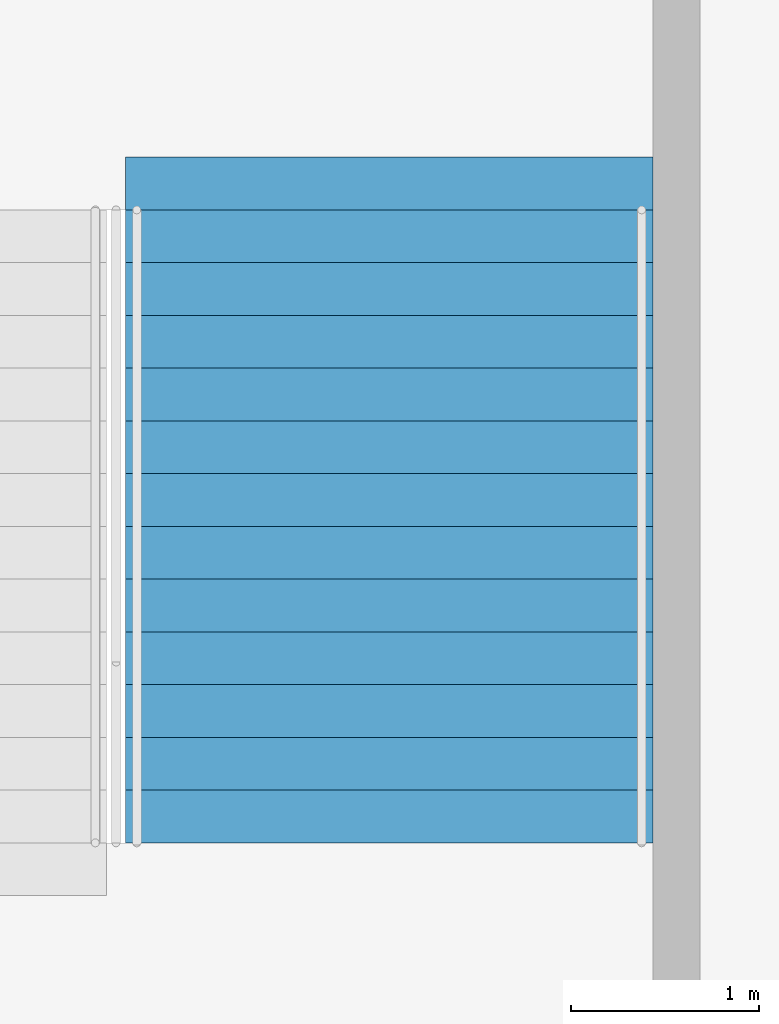
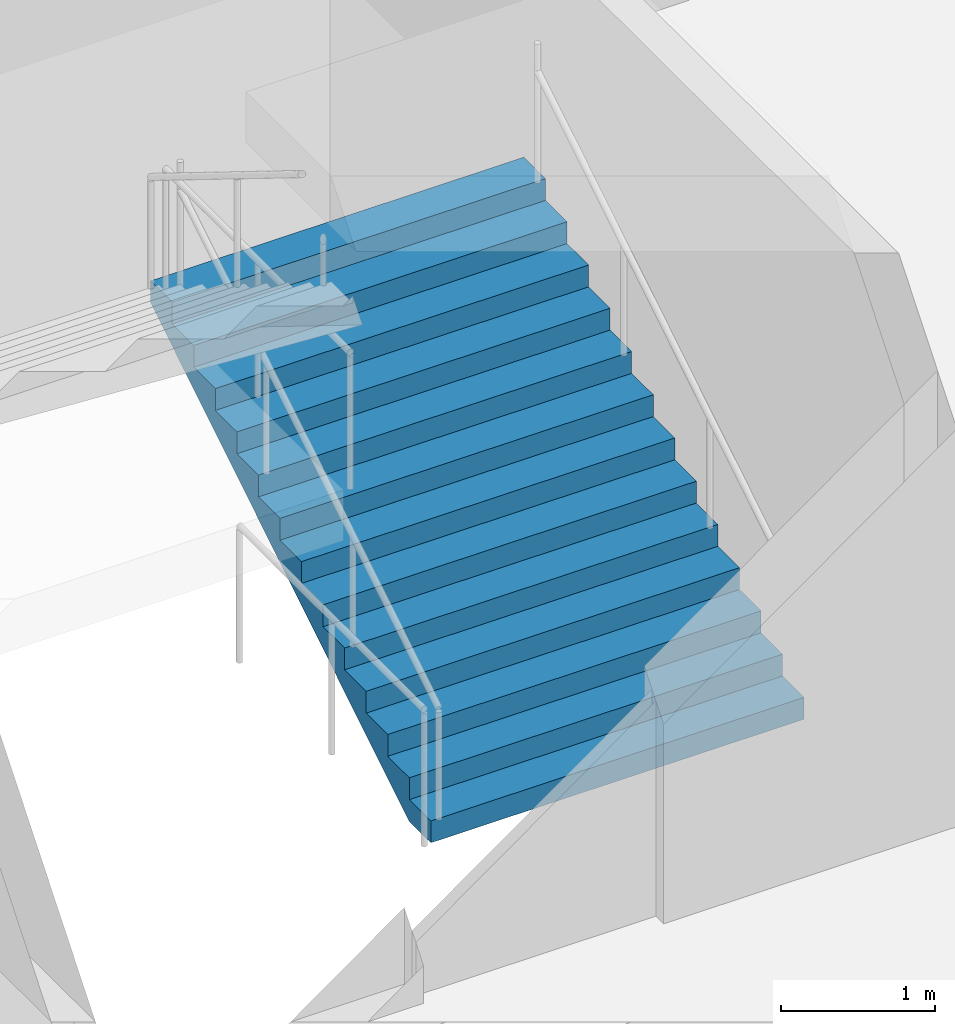
# One storey, part 131 of 175: 1 stair flight, 1 element without a shape of its own.
"""IFC4 building model written with IfcOpenShell, lengths in metres."""

from ifc_helpers import new_model, si_unit, direction, frame, origin, place, context, subcontext, project, spatial, faceted_brep, material, type_object, element, aggregate, save


model = new_model("IFC4")

# Units and contexts
model_context = context("Model", 3, precision=1e-05, world=origin(), true_north=direction((0.0, 1.0)))
body_context = subcontext(model_context, "Body", "Model", "MODEL_VIEW")
ifc_project = project(units=[si_unit("LENGTHUNIT", "METRE"), si_unit("AREAUNIT", "SQUARE_METRE"), si_unit("VOLUMEUNIT", "CUBIC_METRE"), si_unit("PLANEANGLEUNIT", "RADIAN"), si_unit("MASSUNIT", "GRAM", prefix="KILO")], contexts=[model_context])

# Site, building, storey
site_placement = place(None, origin())
site = spatial("IfcSite", under=ifc_project, at=site_placement, CompositionType="ELEMENT")
building_placement = place(site_placement, origin())
building = spatial("IfcBuilding", under=site, at=building_placement, Name="Ogive Plaza Stadium", CompositionType="ELEMENT")
storey_placement = place(building_placement, origin())
storey = spatial("IfcBuildingStorey", under=building, at=storey_placement, Name="L00", CompositionType="ELEMENT", Elevation=0.0)

# Stair, stair flight
ifc_material_1 = material(Name="Concrete C40/50", Category="concrete")
stair_type = type_object("IfcStairType", Name="Exit stair", PredefinedType="STRAIGHT_RUN_STAIR", material=ifc_material_1)
stair_placement = place(storey_placement, origin())
stair = element("IfcStair", 1, at=stair_placement, inside=storey, type_object=stair_type, Name="Exit stair ST32A L00 to L01", PredefinedType="STRAIGHT_RUN_STAIR")
ifc_material_2 = material(Name="Concrete C40/50", Category="concrete")
stair_flight_type = type_object("IfcStairFlightType", Name="Exit stair flight", PredefinedType="STRAIGHT", material=ifc_material_2)
stair_flight_placement = place(storey_placement, frame((-29.574951171875, 94.85009765625, 0.0), z_axis=(0.0, 0.0, 1.0), x_axis=(0.0, 1.0, 0.0)))
stair_flight = element("IfcStairFlight", 2, at=stair_flight_placement, type_object=stair_flight_type, Name="ST32A flight 1", NumberOfRisers=13, NumberOfTreads=12, PredefinedType="STRAIGHT", RiserHeight=0.173076923, TreadLength=0.28, context=body_context, shape_type="Brep", body=[
    faceted_brep([(0.28515625, -1.39990234375, 0.0), (3.639892578125, -1.39990234375, 2.07373046875), (3.639892578125, -1.39990234375, 2.25), (3.360107421875, -1.39990234375, 2.25), (3.360107421875, -1.39990234375, 2.076904296875), (3.080078125, -1.39990234375, 2.076904296875), (3.080078125, -1.39990234375, 1.90380859375), (2.800048828125, -1.39990234375, 1.90380859375), (2.800048828125, -1.39990234375, 1.730712890625), (2.52001953125, -1.39990234375, 1.730712890625), (2.52001953125, -1.39990234375, 1.5576171875), (2.239990234375, -1.39990234375, 1.5576171875), (2.239990234375, -1.39990234375, 1.384521484375), (1.9599609375, -1.39990234375, 1.384521484375), (1.9599609375, -1.39990234375, 1.21142578125), (1.679931640625, -1.39990234375, 1.21142578125), (1.679931640625, -1.39990234375, 1.03857421875), (1.39990234375, -1.39990234375, 1.03857421875), (1.39990234375, -1.39990234375, 0.865478515625), (1.1201171875, -1.39990234375, 0.865478515625), (1.1201171875, -1.39990234375, 0.6923828125), (0.840087890625, -1.39990234375, 0.6923828125), (0.840087890625, -1.39990234375, 0.519287109375), (0.56005859375, -1.39990234375, 0.519287109375), (0.56005859375, -1.39990234375, 0.34619140625), (0.280029296875, -1.39990234375, 0.34619140625), (0.280029296875, -1.39990234375, 0.173095703125), (0.0, -1.39990234375, 0.173095703125), (0.0, -1.39990234375, 0.0), (0.0, 1.39990234375, 0.0), (0.0, 1.39990234375, 0.173095703125), (0.280029296875, 1.39990234375, 0.173095703125), (0.280029296875, 1.39990234375, 0.34619140625), (0.56005859375, 1.39990234375, 0.34619140625), (0.56005859375, 1.39990234375, 0.519287109375), (0.840087890625, 1.39990234375, 0.519287109375), (0.840087890625, 1.39990234375, 0.6923828125), (1.1201171875, 1.39990234375, 0.6923828125), (1.1201171875, 1.39990234375, 0.865478515625), (1.39990234375, 1.39990234375, 0.865478515625), (1.39990234375, 1.39990234375, 1.03857421875), (1.679931640625, 1.39990234375, 1.03857421875), (1.679931640625, 1.39990234375, 1.21142578125), (1.9599609375, 1.39990234375, 1.21142578125), (1.9599609375, 1.39990234375, 1.384521484375), (2.239990234375, 1.39990234375, 1.384521484375), (2.239990234375, 1.39990234375, 1.5576171875), (2.52001953125, 1.39990234375, 1.5576171875), (2.52001953125, 1.39990234375, 1.730712890625), (2.800048828125, 1.39990234375, 1.730712890625), (2.800048828125, 1.39990234375, 1.90380859375), (3.080078125, 1.39990234375, 1.90380859375), (3.080078125, 1.39990234375, 2.076904296875), (3.360107421875, 1.39990234375, 2.076904296875), (3.360107421875, 1.39990234375, 2.25), (3.639892578125, 1.39990234375, 2.25), (3.639892578125, 1.39990234375, 2.07373046875), (0.28515625, 1.39990234375, 0.0), (0.28515625, -1.0888671875, 0.0), (3.639892578125, -1.0888671875, 2.07373046875), (0.28515625, -0.77783203125, 0.0), (3.639892578125, -0.77783203125, 2.07373046875), (0.28515625, -0.466796875, 0.0), (3.639892578125, -0.466796875, 2.07373046875), (0.28515625, -0.155517578125, 0.0), (3.639892578125, -0.155517578125, 2.07373046875), (0.28515625, 0.155517578125, 0.0), (3.639892578125, 0.155517578125, 2.07373046875), (0.28515625, 0.466796875, 0.0), (3.639892578125, 0.466796875, 2.07373046875), (0.28515625, 0.77783203125, 0.0), (3.639892578125, 0.77783203125, 2.07373046875), (0.28515625, 1.0888671875, 0.0), (3.639892578125, 1.0888671875, 2.07373046875), (3.639892578125, -1.0888671875, 2.25), (3.639892578125, -0.77783203125, 2.25), (3.639892578125, -0.466796875, 2.25), (3.639892578125, -0.155517578125, 2.25), (3.639892578125, 0.155517578125, 2.25), (3.639892578125, 0.466796875, 2.25), (3.639892578125, 0.77783203125, 2.25), (3.639892578125, 1.0888671875, 2.25), (3.360107421875, -1.0888671875, 2.25), (3.360107421875, -0.77783203125, 2.25), (3.360107421875, -0.466796875, 2.25), (3.360107421875, -0.155517578125, 2.25), (3.360107421875, 0.155517578125, 2.25), (3.360107421875, 0.466796875, 2.25), (3.360107421875, 0.77783203125, 2.25), (3.360107421875, 1.0888671875, 2.25), (3.360107421875, -1.0888671875, 2.076904296875), (3.360107421875, -0.77783203125, 2.076904296875), (3.360107421875, -0.466796875, 2.076904296875), (3.360107421875, -0.155517578125, 2.076904296875), (3.360107421875, 0.155517578125, 2.076904296875), (3.360107421875, 0.466796875, 2.076904296875), (3.360107421875, 0.77783203125, 2.076904296875), (3.360107421875, 1.0888671875, 2.076904296875), (3.080078125, -1.0888671875, 2.076904296875), (3.080078125, -0.77783203125, 2.076904296875), (3.080078125, -0.466796875, 2.076904296875), (3.080078125, -0.155517578125, 2.076904296875), (3.080078125, 0.155517578125, 2.076904296875), (3.080078125, 0.466796875, 2.076904296875), (3.080078125, 0.77783203125, 2.076904296875), (3.080078125, 1.0888671875, 2.076904296875), (3.080078125, -1.0888671875, 1.90380859375), (3.080078125, -0.77783203125, 1.90380859375), (3.080078125, -0.466796875, 1.90380859375), (3.080078125, -0.155517578125, 1.90380859375), (3.080078125, 0.155517578125, 1.90380859375), (3.080078125, 0.466796875, 1.90380859375), (3.080078125, 0.77783203125, 1.90380859375), (3.080078125, 1.0888671875, 1.90380859375), (2.800048828125, -1.0888671875, 1.90380859375), (2.800048828125, -0.77783203125, 1.90380859375), (2.800048828125, -0.466796875, 1.90380859375), (2.800048828125, -0.155517578125, 1.90380859375), (2.800048828125, 0.155517578125, 1.90380859375), (2.800048828125, 0.466796875, 1.90380859375), (2.800048828125, 0.77783203125, 1.90380859375), (2.800048828125, 1.0888671875, 1.90380859375), (2.800048828125, -1.0888671875, 1.730712890625), (2.800048828125, -0.77783203125, 1.730712890625), (2.800048828125, -0.466796875, 1.730712890625), (2.800048828125, -0.155517578125, 1.730712890625), (2.800048828125, 0.155517578125, 1.730712890625), (2.800048828125, 0.466796875, 1.730712890625), (2.800048828125, 0.77783203125, 1.730712890625), (2.800048828125, 1.0888671875, 1.730712890625), (2.52001953125, -1.0888671875, 1.730712890625), (2.52001953125, -0.77783203125, 1.730712890625), (2.52001953125, -0.466796875, 1.730712890625), (2.52001953125, -0.155517578125, 1.730712890625), (2.52001953125, 0.155517578125, 1.730712890625), (2.52001953125, 0.466796875, 1.730712890625), (2.52001953125, 0.77783203125, 1.730712890625), (2.52001953125, 1.0888671875, 1.730712890625), (2.52001953125, -1.0888671875, 1.5576171875), (2.52001953125, -0.77783203125, 1.5576171875), (2.52001953125, -0.466796875, 1.5576171875), (2.52001953125, -0.155517578125, 1.5576171875), (2.52001953125, 0.155517578125, 1.5576171875), (2.52001953125, 0.466796875, 1.5576171875), (2.52001953125, 0.77783203125, 1.5576171875), (2.52001953125, 1.0888671875, 1.5576171875), (2.239990234375, -1.0888671875, 1.5576171875), (2.239990234375, -0.77783203125, 1.5576171875), (2.239990234375, -0.466796875, 1.5576171875), (2.239990234375, -0.155517578125, 1.5576171875), (2.239990234375, 0.155517578125, 1.5576171875), (2.239990234375, 0.466796875, 1.5576171875), (2.239990234375, 0.77783203125, 1.5576171875), (2.239990234375, 1.0888671875, 1.5576171875), (2.239990234375, -1.0888671875, 1.384521484375), (2.239990234375, -0.77783203125, 1.384521484375), (2.239990234375, -0.466796875, 1.384521484375), (2.239990234375, -0.155517578125, 1.384521484375), (2.239990234375, 0.155517578125, 1.384521484375), (2.239990234375, 0.466796875, 1.384521484375), (2.239990234375, 0.77783203125, 1.384521484375), (2.239990234375, 1.0888671875, 1.384521484375), (1.9599609375, -1.0888671875, 1.384521484375), (1.9599609375, -0.77783203125, 1.384521484375), (1.9599609375, -0.466796875, 1.384521484375), (1.9599609375, -0.155517578125, 1.384521484375), (1.9599609375, 0.155517578125, 1.384521484375), (1.9599609375, 0.466796875, 1.384521484375), (1.9599609375, 0.77783203125, 1.384521484375), (1.9599609375, 1.0888671875, 1.384521484375), (1.9599609375, -1.0888671875, 1.21142578125), (1.9599609375, -0.77783203125, 1.21142578125), (1.9599609375, -0.466796875, 1.21142578125), (1.9599609375, -0.155517578125, 1.21142578125), (1.9599609375, 0.155517578125, 1.21142578125), (1.9599609375, 0.466796875, 1.21142578125), (1.9599609375, 0.77783203125, 1.21142578125), (1.9599609375, 1.0888671875, 1.21142578125), (1.679931640625, -1.0888671875, 1.21142578125), (1.679931640625, -0.77783203125, 1.21142578125), (1.679931640625, -0.466796875, 1.21142578125), (1.679931640625, -0.155517578125, 1.21142578125), (1.679931640625, 0.155517578125, 1.21142578125), (1.679931640625, 0.466796875, 1.21142578125), (1.679931640625, 0.77783203125, 1.21142578125), (1.679931640625, 1.0888671875, 1.21142578125), (1.679931640625, -1.0888671875, 1.03857421875), (1.679931640625, -0.77783203125, 1.03857421875), (1.679931640625, -0.466796875, 1.03857421875), (1.679931640625, -0.155517578125, 1.03857421875), (1.679931640625, 0.155517578125, 1.03857421875), (1.679931640625, 0.466796875, 1.03857421875), (1.679931640625, 0.77783203125, 1.03857421875), (1.679931640625, 1.0888671875, 1.03857421875), (1.39990234375, -1.0888671875, 1.03857421875), (1.39990234375, -0.77783203125, 1.03857421875), (1.39990234375, -0.466796875, 1.03857421875), (1.39990234375, -0.155517578125, 1.03857421875), (1.39990234375, 0.155517578125, 1.03857421875), (1.39990234375, 0.466796875, 1.03857421875), (1.39990234375, 0.77783203125, 1.03857421875), (1.39990234375, 1.0888671875, 1.03857421875), (1.39990234375, -1.0888671875, 0.865478515625), (1.39990234375, -0.77783203125, 0.865478515625), (1.39990234375, -0.466796875, 0.865478515625), (1.39990234375, -0.155517578125, 0.865478515625), (1.39990234375, 0.155517578125, 0.865478515625), (1.39990234375, 0.466796875, 0.865478515625), (1.39990234375, 0.77783203125, 0.865478515625), (1.39990234375, 1.0888671875, 0.865478515625), (1.1201171875, -1.0888671875, 0.865478515625), (1.1201171875, -0.77783203125, 0.865478515625), (1.1201171875, -0.466796875, 0.865478515625), (1.1201171875, -0.155517578125, 0.865478515625), (1.1201171875, 0.155517578125, 0.865478515625), (1.1201171875, 0.466796875, 0.865478515625), (1.1201171875, 0.77783203125, 0.865478515625), (1.1201171875, 1.0888671875, 0.865478515625), (1.1201171875, -1.0888671875, 0.6923828125), (1.1201171875, -0.77783203125, 0.6923828125), (1.1201171875, -0.466796875, 0.6923828125), (1.1201171875, -0.155517578125, 0.6923828125), (1.1201171875, 0.155517578125, 0.6923828125), (1.1201171875, 0.466796875, 0.6923828125), (1.1201171875, 0.77783203125, 0.6923828125), (1.1201171875, 1.0888671875, 0.6923828125), (0.840087890625, -1.0888671875, 0.6923828125), (0.840087890625, -0.77783203125, 0.6923828125), (0.840087890625, -0.466796875, 0.6923828125), (0.840087890625, -0.155517578125, 0.6923828125), (0.840087890625, 0.155517578125, 0.6923828125), (0.840087890625, 0.466796875, 0.6923828125), (0.840087890625, 0.77783203125, 0.6923828125), (0.840087890625, 1.0888671875, 0.6923828125), (0.840087890625, -1.0888671875, 0.519287109375), (0.840087890625, -0.77783203125, 0.519287109375), (0.840087890625, -0.466796875, 0.519287109375), (0.840087890625, -0.155517578125, 0.519287109375), (0.840087890625, 0.155517578125, 0.519287109375), (0.840087890625, 0.466796875, 0.519287109375), (0.840087890625, 0.77783203125, 0.519287109375), (0.840087890625, 1.0888671875, 0.519287109375), (0.56005859375, -1.0888671875, 0.519287109375), (0.56005859375, -0.77783203125, 0.519287109375), (0.56005859375, -0.466796875, 0.519287109375), (0.56005859375, -0.155517578125, 0.519287109375), (0.56005859375, 0.155517578125, 0.519287109375), (0.56005859375, 0.466796875, 0.519287109375), (0.56005859375, 0.77783203125, 0.519287109375), (0.56005859375, 1.0888671875, 0.519287109375), (0.56005859375, -1.0888671875, 0.34619140625), (0.56005859375, -0.77783203125, 0.34619140625), (0.56005859375, -0.466796875, 0.34619140625), (0.56005859375, -0.155517578125, 0.34619140625), (0.56005859375, 0.155517578125, 0.34619140625), (0.56005859375, 0.466796875, 0.34619140625), (0.56005859375, 0.77783203125, 0.34619140625), (0.56005859375, 1.0888671875, 0.34619140625), (0.280029296875, -1.0888671875, 0.34619140625), (0.280029296875, -0.77783203125, 0.34619140625), (0.280029296875, -0.466796875, 0.34619140625), (0.280029296875, -0.155517578125, 0.34619140625), (0.280029296875, 0.155517578125, 0.34619140625), (0.280029296875, 0.466796875, 0.34619140625), (0.280029296875, 0.77783203125, 0.34619140625), (0.280029296875, 1.0888671875, 0.34619140625), (0.280029296875, -1.0888671875, 0.173095703125), (0.280029296875, -0.77783203125, 0.173095703125), (0.280029296875, -0.466796875, 0.173095703125), (0.280029296875, -0.155517578125, 0.173095703125), (0.280029296875, 0.155517578125, 0.173095703125), (0.280029296875, 0.466796875, 0.173095703125), (0.280029296875, 0.77783203125, 0.173095703125), (0.280029296875, 1.0888671875, 0.173095703125), (0.0, -1.0888671875, 0.173095703125), (0.0, -0.77783203125, 0.173095703125), (0.0, -0.466796875, 0.173095703125), (0.0, -0.155517578125, 0.173095703125), (0.0, 0.155517578125, 0.173095703125), (0.0, 0.466796875, 0.173095703125), (0.0, 0.77783203125, 0.173095703125), (0.0, 1.0888671875, 0.173095703125), (0.0, -1.0888671875, 0.0), (0.0, -0.77783203125, 0.0), (0.0, -0.466796875, 0.0), (0.0, -0.155517578125, 0.0), (0.0, 0.155517578125, 0.0), (0.0, 0.466796875, 0.0), (0.0, 0.77783203125, 0.0), (0.0, 1.0888671875, 0.0)], [[[0, 1, 2, 3, 4, 5, 6, 7, 8, 9, 10, 11, 12, 13, 14, 15, 16, 17, 18, 19, 20, 21, 22, 23, 24, 25, 26, 27, 28]], [[29, 30, 31, 32, 33, 34, 35, 36, 37, 38, 39, 40, 41, 42, 43, 44, 45, 46, 47, 48, 49, 50, 51, 52, 53, 54, 55, 56, 57]], [[0, 58, 59, 1]], [[58, 60, 61, 59]], [[60, 62, 63, 61]], [[62, 64, 65, 63]], [[64, 66, 67, 65]], [[66, 68, 69, 67]], [[68, 70, 71, 69]], [[70, 72, 73, 71]], [[72, 57, 56, 73]], [[1, 59, 74, 2]], [[59, 61, 75, 74]], [[61, 63, 76, 75]], [[63, 65, 77, 76]], [[65, 67, 78, 77]], [[67, 69, 79, 78]], [[69, 71, 80, 79]], [[71, 73, 81, 80]], [[73, 56, 55, 81]], [[2, 74, 82, 3]], [[74, 75, 83, 82]], [[75, 76, 84, 83]], [[76, 77, 85, 84]], [[77, 78, 86, 85]], [[78, 79, 87, 86]], [[79, 80, 88, 87]], [[80, 81, 89, 88]], [[81, 55, 54, 89]], [[3, 82, 90, 4]], [[82, 83, 91, 90]], [[83, 84, 92, 91]], [[84, 85, 93, 92]], [[85, 86, 94, 93]], [[86, 87, 95, 94]], [[87, 88, 96, 95]], [[88, 89, 97, 96]], [[89, 54, 53, 97]], [[4, 90, 98, 5]], [[90, 91, 99, 98]], [[91, 92, 100, 99]], [[92, 93, 101, 100]], [[93, 94, 102, 101]], [[94, 95, 103, 102]], [[95, 96, 104, 103]], [[96, 97, 105, 104]], [[97, 53, 52, 105]], [[5, 98, 106, 6]], [[98, 99, 107, 106]], [[99, 100, 108, 107]], [[100, 101, 109, 108]], [[101, 102, 110, 109]], [[102, 103, 111, 110]], [[103, 104, 112, 111]], [[104, 105, 113, 112]], [[105, 52, 51, 113]], [[6, 106, 114, 7]], [[106, 107, 115, 114]], [[107, 108, 116, 115]], [[108, 109, 117, 116]], [[109, 110, 118, 117]], [[110, 111, 119, 118]], [[111, 112, 120, 119]], [[112, 113, 121, 120]], [[113, 51, 50, 121]], [[7, 114, 122, 8]], [[114, 115, 123, 122]], [[115, 116, 124, 123]], [[116, 117, 125, 124]], [[117, 118, 126, 125]], [[118, 119, 127, 126]], [[119, 120, 128, 127]], [[120, 121, 129, 128]], [[121, 50, 49, 129]], [[8, 122, 130, 9]], [[122, 123, 131, 130]], [[123, 124, 132, 131]], [[124, 125, 133, 132]], [[125, 126, 134, 133]], [[126, 127, 135, 134]], [[127, 128, 136, 135]], [[128, 129, 137, 136]], [[129, 49, 48, 137]], [[9, 130, 138, 10]], [[130, 131, 139, 138]], [[131, 132, 140, 139]], [[132, 133, 141, 140]], [[133, 134, 142, 141]], [[134, 135, 143, 142]], [[135, 136, 144, 143]], [[136, 137, 145, 144]], [[137, 48, 47, 145]], [[10, 138, 146, 11]], [[138, 139, 147, 146]], [[139, 140, 148, 147]], [[140, 141, 149, 148]], [[141, 142, 150, 149]], [[142, 143, 151, 150]], [[143, 144, 152, 151]], [[144, 145, 153, 152]], [[145, 47, 46, 153]], [[11, 146, 154, 12]], [[146, 147, 155, 154]], [[147, 148, 156, 155]], [[148, 149, 157, 156]], [[149, 150, 158, 157]], [[150, 151, 159, 158]], [[151, 152, 160, 159]], [[152, 153, 161, 160]], [[153, 46, 45, 161]], [[12, 154, 162, 13]], [[154, 155, 163, 162]], [[155, 156, 164, 163]], [[156, 157, 165, 164]], [[157, 158, 166, 165]], [[158, 159, 167, 166]], [[159, 160, 168, 167]], [[160, 161, 169, 168]], [[161, 45, 44, 169]], [[13, 162, 170, 14]], [[162, 163, 171, 170]], [[163, 164, 172, 171]], [[164, 165, 173, 172]], [[165, 166, 174, 173]], [[166, 167, 175, 174]], [[167, 168, 176, 175]], [[168, 169, 177, 176]], [[169, 44, 43, 177]], [[14, 170, 178, 15]], [[170, 171, 179, 178]], [[171, 172, 180, 179]], [[172, 173, 181, 180]], [[173, 174, 182, 181]], [[174, 175, 183, 182]], [[175, 176, 184, 183]], [[176, 177, 185, 184]], [[177, 43, 42, 185]], [[15, 178, 186, 16]], [[178, 179, 187, 186]], [[179, 180, 188, 187]], [[180, 181, 189, 188]], [[181, 182, 190, 189]], [[182, 183, 191, 190]], [[183, 184, 192, 191]], [[184, 185, 193, 192]], [[185, 42, 41, 193]], [[16, 186, 194, 17]], [[186, 187, 195, 194]], [[187, 188, 196, 195]], [[188, 189, 197, 196]], [[189, 190, 198, 197]], [[190, 191, 199, 198]], [[191, 192, 200, 199]], [[192, 193, 201, 200]], [[193, 41, 40, 201]], [[17, 194, 202, 18]], [[194, 195, 203, 202]], [[195, 196, 204, 203]], [[196, 197, 205, 204]], [[197, 198, 206, 205]], [[198, 199, 207, 206]], [[199, 200, 208, 207]], [[200, 201, 209, 208]], [[201, 40, 39, 209]], [[18, 202, 210, 19]], [[202, 203, 211, 210]], [[203, 204, 212, 211]], [[204, 205, 213, 212]], [[205, 206, 214, 213]], [[206, 207, 215, 214]], [[207, 208, 216, 215]], [[208, 209, 217, 216]], [[209, 39, 38, 217]], [[19, 210, 218, 20]], [[210, 211, 219, 218]], [[211, 212, 220, 219]], [[212, 213, 221, 220]], [[213, 214, 222, 221]], [[214, 215, 223, 222]], [[215, 216, 224, 223]], [[216, 217, 225, 224]], [[217, 38, 37, 225]], [[20, 218, 226, 21]], [[218, 219, 227, 226]], [[219, 220, 228, 227]], [[220, 221, 229, 228]], [[221, 222, 230, 229]], [[222, 223, 231, 230]], [[223, 224, 232, 231]], [[224, 225, 233, 232]], [[225, 37, 36, 233]], [[21, 226, 234, 22]], [[226, 227, 235, 234]], [[227, 228, 236, 235]], [[228, 229, 237, 236]], [[229, 230, 238, 237]], [[230, 231, 239, 238]], [[231, 232, 240, 239]], [[232, 233, 241, 240]], [[233, 36, 35, 241]], [[22, 234, 242, 23]], [[234, 235, 243, 242]], [[235, 236, 244, 243]], [[236, 237, 245, 244]], [[237, 238, 246, 245]], [[238, 239, 247, 246]], [[239, 240, 248, 247]], [[240, 241, 249, 248]], [[241, 35, 34, 249]], [[23, 242, 250, 24]], [[242, 243, 251, 250]], [[243, 244, 252, 251]], [[244, 245, 253, 252]], [[245, 246, 254, 253]], [[246, 247, 255, 254]], [[247, 248, 256, 255]], [[248, 249, 257, 256]], [[249, 34, 33, 257]], [[24, 250, 258, 25]], [[250, 251, 259, 258]], [[251, 252, 260, 259]], [[252, 253, 261, 260]], [[253, 254, 262, 261]], [[254, 255, 263, 262]], [[255, 256, 264, 263]], [[256, 257, 265, 264]], [[257, 33, 32, 265]], [[25, 258, 266, 26]], [[258, 259, 267, 266]], [[259, 260, 268, 267]], [[260, 261, 269, 268]], [[261, 262, 270, 269]], [[262, 263, 271, 270]], [[263, 264, 272, 271]], [[264, 265, 273, 272]], [[265, 32, 31, 273]], [[26, 266, 274, 27]], [[266, 267, 275, 274]], [[267, 268, 276, 275]], [[268, 269, 277, 276]], [[269, 270, 278, 277]], [[270, 271, 279, 278]], [[271, 272, 280, 279]], [[272, 273, 281, 280]], [[273, 31, 30, 281]], [[27, 274, 282, 28]], [[274, 275, 283, 282]], [[275, 276, 284, 283]], [[276, 277, 285, 284]], [[277, 278, 286, 285]], [[278, 279, 287, 286]], [[279, 280, 288, 287]], [[280, 281, 289, 288]], [[281, 30, 29, 289]], [[28, 282, 58, 0]], [[282, 283, 60, 58]], [[283, 284, 62, 60]], [[284, 285, 64, 62]], [[285, 286, 66, 64]], [[286, 287, 68, 66]], [[287, 288, 70, 68]], [[288, 289, 72, 70]], [[289, 29, 57, 72]]]),
])
aggregate(stair, [stair_flight])

save(model, "model.ifc")
